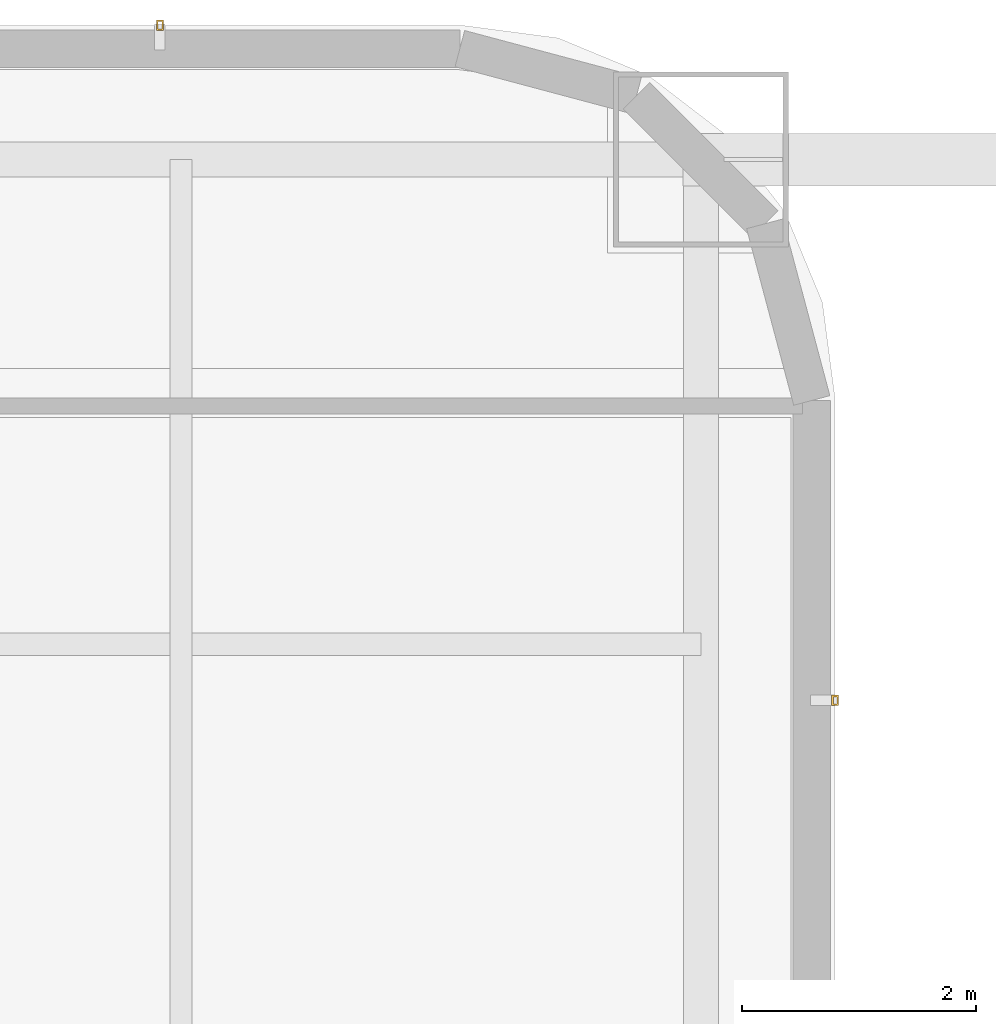
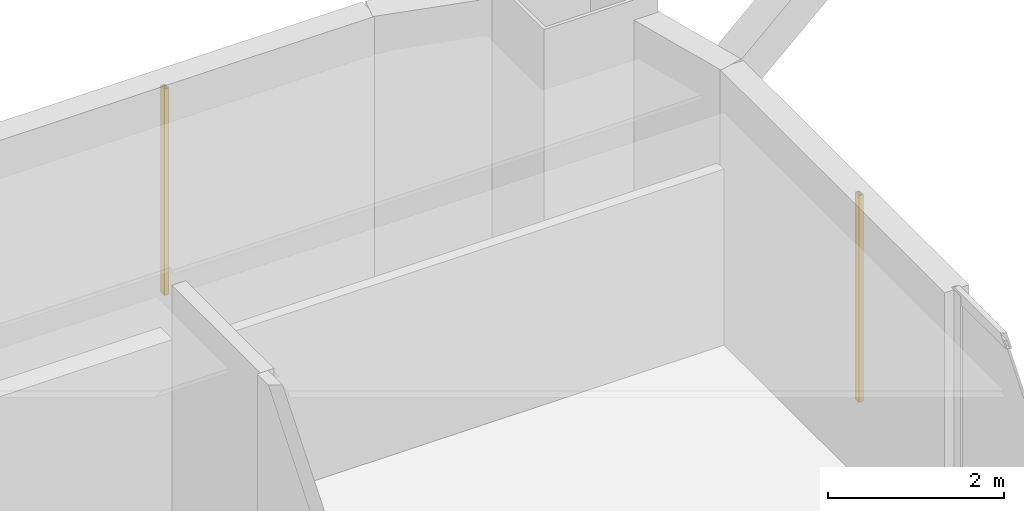
# One storey, part 45 of 45: 2 shading devices.
"""IFC4 building model written with IfcOpenShell, lengths in metres."""

from ifc_helpers import new_model, si_unit, direction, frame, origin, origin_2d, place, context, subcontext, project, spatial, hollow_rectangle, extrude, material, material_profile, profile_set, type_object, element, save


model = new_model("IFC4")

# Units and contexts
model_context = context("Model", 3, precision=1e-05, world=origin(), true_north=direction((0.0, 1.0)))
body_context = subcontext(model_context, "Body", "Model", "MODEL_VIEW")
ifc_project = project(units=[si_unit("LENGTHUNIT", "METRE"), si_unit("AREAUNIT", "SQUARE_METRE"), si_unit("VOLUMEUNIT", "CUBIC_METRE"), si_unit("PLANEANGLEUNIT", "RADIAN"), si_unit("MASSUNIT", "GRAM", prefix="KILO")], contexts=[model_context])

# Site, building, storey
site_placement = place(None, origin())
site = spatial("IfcSite", under=ifc_project, at=site_placement, CompositionType="ELEMENT")
building_placement = place(site_placement, origin())
building = spatial("IfcBuilding", under=site, at=building_placement, Name="Punatoya Terracotta Tower", CompositionType="ELEMENT")
storey_placement = place(building_placement, frame((0.0, 0.0, 56.550048828125)))
storey = spatial("IfcBuildingStorey", under=building, at=storey_placement, Name="L12", CompositionType="ELEMENT", Elevation=56.550048828125)

# Shading devices
ifc_material = material(Name="Architectural Fired Terracotta", Category="masonry")
ifc_material_profile = material_profile(ifc_material, hollow_rectangle(XDim=0.06005859375, YDim=0.090087890625, WallThickness=0.013916015625, at=origin_2d()))
ifc_profile_set = profile_set([ifc_material_profile], Name="Architectural Fired Terracotta")
shading_device_type = type_object("IfcShadingDeviceType", Name="SHD-JALI-90", PredefinedType="JALOUSIE", material=ifc_profile_set)
for number, where, z_axis, x_axis, name in (
    (1, (20.25, 12.868408203125, 0.599853515625), (0.0, 0.0, 1.0), (1.0, 0.0, 0.0), "L12 Braced Bay Terracotta Jali Fin E2"),
    (2, (14.468505859375, 18.64990234375, 0.599853515625), (0.0, 0.0, 1.0), (1.0, 0.0, 0.0), "L12 Braced Bay Terracotta Jali Fin N1"),
):
    element("IfcShadingDevice", number, at=place(storey_placement, frame(where, z_axis=z_axis, x_axis=x_axis)), inside=storey, type_object=shading_device_type, Name=name, PredefinedType="JALOUSIE", context=body_context, shape_type="SweptSolid", body=[
        extrude(hollow_rectangle(XDim=0.06005859375, YDim=0.090087890625, WallThickness=0.013916015625, at=origin_2d()), origin(), (0.0, 0.0, 1.0), 2.8701171875),
    ])

save(model, "model.ifc")
